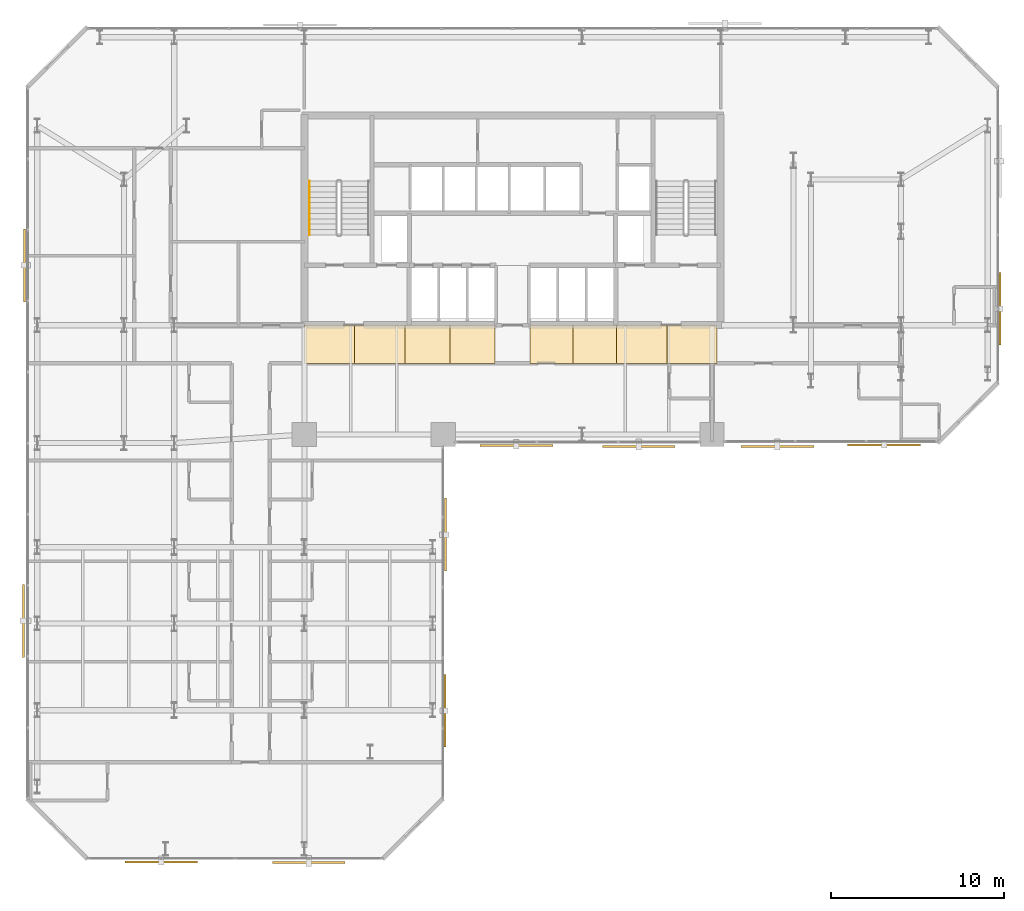
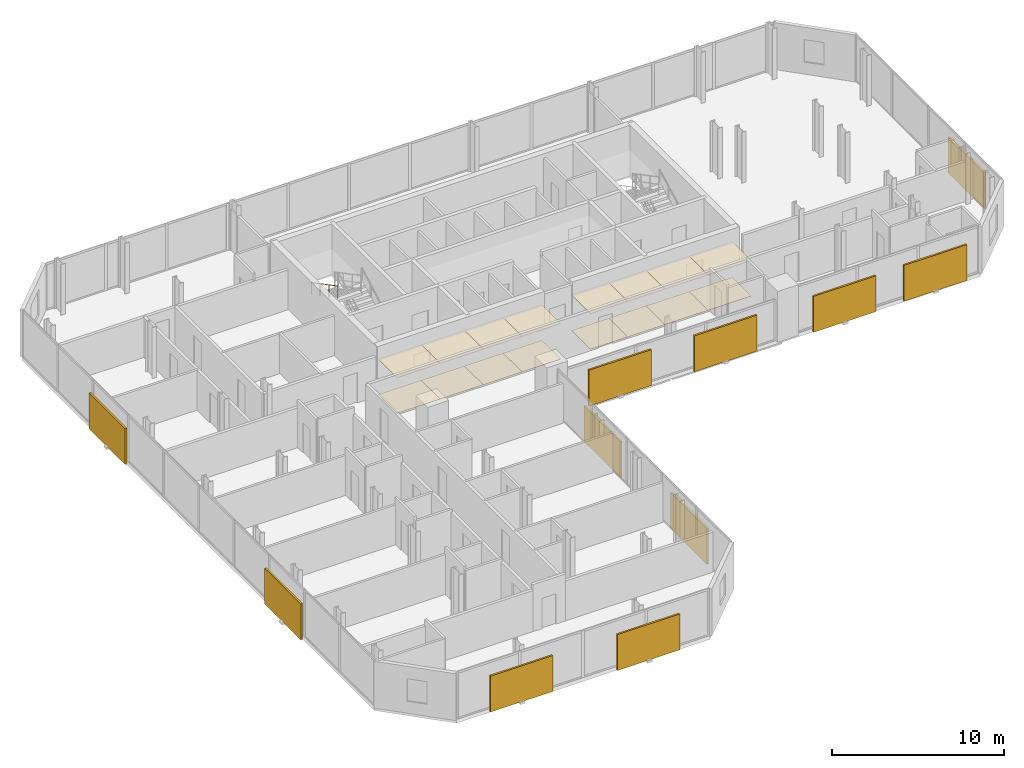
# One storey, part 31 of 32: 16 coverings, 11 shading devices, 1 railing.
"""IFC4 building model written with IfcOpenShell, lengths in metres."""

import ifcopenshell
import ifcopenshell.guid

model = None  # the IFC model being written
_history = None  # IfcOwnerHistory: only IFC2X3 demands one
_inside = {}  # id of a spatial element -> (the spatial element, [elements in it])
_under = {}  # id of a project, library or spatial element -> (it, [spatial elements below it])
_declared = {}  # id of a project -> (the project, [libraries it declares])
_typed = {}  # id of a type object -> (the type object, [elements of that type])
_made_of = {}  # id of a material, layer set ... -> (it, [elements and type objects made of it])


def new_model(schema):
    """Start an empty IFC model of exactly this schema.

    Asked for "IFC4X3", IfcOpenShell would pick the latest addendum, in which some entities
    have other attributes; the version numbers below select the first issue.
    IFC2X3 requires an IfcOwnerHistory on every rooted entity: one is made here for all.
    """
    global model, _history
    if schema == "IFC4X3":
        model = ifcopenshell.file(schema_version=(4, 3, 0, 0))
    else:
        model = ifcopenshell.file(schema=schema)
    _inside.clear()
    _under.clear()
    _declared.clear()
    _typed.clear()
    _made_of.clear()
    _history = None
    if model.schema == "IFC2X3":
        org = make("IfcOrganization", Name="unknown")
        user = make(
            "IfcPersonAndOrganization",
            ThePerson=make("IfcPerson", FamilyName="unknown"),
            TheOrganization=org,
        )
        app = make(
            "IfcApplication",
            ApplicationDeveloper=org,
            Version="unknown",
            ApplicationFullName="unknown",
            ApplicationIdentifier="unknown",
        )
        _history = make(
            "IfcOwnerHistory",
            OwningUser=user,
            OwningApplication=app,
            ChangeAction="ADDED",
            CreationDate=0,
        )
    return model


def make(cls, **values):
    """One entity of the class cls with the attributes given. An attribute that is None is left unset."""
    return model.create_entity(
        cls, **{name: value for name, value in values.items() if value is not None}
    )


def rooted(cls, **values):
    """An entity with a GlobalId (a new one), such as an element, a storey or a relation."""
    return make(cls, GlobalId=ifcopenshell.guid.new(), OwnerHistory=_history, **values)


def si_unit(unit_type, name, prefix=None):
    """IfcSIUnit, for example si_unit("LENGTHUNIT", "METRE", prefix="MILLI")."""
    return make("IfcSIUnit", UnitType=unit_type, Prefix=prefix, Name=name)


def assignment(units):
    """IfcUnitAssignment: the units of a project."""
    return None if units is None else make("IfcUnitAssignment", Units=units)


def point(xyz):
    """IfcCartesianPoint."""
    return None if xyz is None else make("IfcCartesianPoint", Coordinates=xyz)


def direction(xyz):
    """IfcDirection."""
    return None if xyz is None else make("IfcDirection", DirectionRatios=xyz)


def frame(location, z_axis=None, x_axis=None):
    """IfcAxis2Placement3D, a coordinate frame: its origin and axes. An axis left out is left unset."""
    return make(
        "IfcAxis2Placement3D",
        Location=point(location),
        Axis=direction(z_axis),
        RefDirection=direction(x_axis),
    )


def frame_2d(location, x_axis=None):
    """IfcAxis2Placement2D, a coordinate frame in the plane: its origin and x axis."""
    return make(
        "IfcAxis2Placement2D", Location=point(location), RefDirection=direction(x_axis)
    )


def origin():
    """The frame at (0, 0, 0) with its axes left unset."""
    return frame((0.0, 0.0, 0.0))


def origin_2d():
    """The frame at (0, 0) in the plane with its x axis left unset."""
    return frame_2d((0.0, 0.0))


def place(relative_to, where):
    """IfcLocalPlacement: puts the frame where relative to a parent placement (None: the world)."""
    return make(
        "IfcLocalPlacement", PlacementRelTo=relative_to, RelativePlacement=where
    )


def context(
    kind, dimensions, precision=None, world=None, true_north=None, identifier=None
):
    """IfcGeometricRepresentationContext, for example the 3D "Model" context."""
    return make(
        "IfcGeometricRepresentationContext",
        ContextIdentifier=identifier,
        ContextType=kind,
        CoordinateSpaceDimension=dimensions,
        Precision=precision,
        WorldCoordinateSystem=world,
        TrueNorth=true_north,
    )


def subcontext(parent, identifier, kind, view, scale=None):
    """IfcGeometricRepresentationSubContext, for example "Body" below "Model"."""
    return make(
        "IfcGeometricRepresentationSubContext",
        ContextIdentifier=identifier,
        ContextType=kind,
        ParentContext=parent,
        TargetScale=scale,
        TargetView=view,
    )


def project(units=None, contexts=None):
    """IfcProject with its units and contexts."""
    return rooted(
        "IfcProject",
        Name="project",
        RepresentationContexts=contexts,
        UnitsInContext=assignment(units),
    )


def spatial(cls, under=None, at=None, **own):
    """A site, building, storey or space (cls), placed at a placement, below another one or the project."""
    s = rooted(cls, ObjectPlacement=at, **own)
    if under is not None:
        _under.setdefault(under.id(), (under, []))[1].append(s)
    return s


def polyline(points):
    """IfcPolyline through the points."""
    return make("IfcPolyline", Points=[point(p) for p in points])


def profile(cls, at=None, kind="AREA", **sizes):
    """A parametric profile (cls). Its sizes go by their IFC names, for example OverallWidth=200.0."""
    return make(cls, ProfileType=kind, Position=at, **sizes)


def rectangle(**sizes):
    """IfcRectangleProfileDef."""
    return profile("IfcRectangleProfileDef", **sizes)


def circle(**sizes):
    """IfcCircleProfileDef."""
    return profile("IfcCircleProfileDef", **sizes)


def outline(outer, holes=None, kind="AREA"):
    """IfcArbitraryClosedProfileDef: a profile drawn as a closed curve; with holes, ...WithVoids."""
    if holes is None:
        return make("IfcArbitraryClosedProfileDef", ProfileType=kind, OuterCurve=outer)
    return make(
        "IfcArbitraryProfileDefWithVoids",
        ProfileType=kind,
        OuterCurve=outer,
        InnerCurves=holes,
    )


def extrude(swept, where, along, depth):
    """IfcExtrudedAreaSolid: the profile swept, set in the frame where, extruded along a direction by depth."""
    return make(
        "IfcExtrudedAreaSolid",
        SweptArea=swept,
        Position=where,
        ExtrudedDirection=direction(along),
        Depth=depth,
    )


def shape(context_of_items, identifier, shape_type, items):
    """IfcShapeRepresentation: the items that make up one representation, for example the "Body"."""
    return make(
        "IfcShapeRepresentation",
        ContextOfItems=context_of_items,
        RepresentationIdentifier=identifier,
        RepresentationType=shape_type,
        Items=items,
    )


def material(Name=None, Category=None):
    """IfcMaterial."""
    return make("IfcMaterial", Name=Name, Category=Category)


def layer(
    of_material, thickness, ventilated=None, Name=None, Category=None, Priority=None
):
    """IfcMaterialLayer: one layer of a wall or slab, of a material (None: an air gap)."""
    return make(
        "IfcMaterialLayer",
        Material=of_material,
        LayerThickness=thickness,
        IsVentilated=ventilated,
        Name=Name,
        Category=Category,
        Priority=Priority,
    )


def layer_set(layers, Name=None):
    """IfcMaterialLayerSet."""
    return make("IfcMaterialLayerSet", MaterialLayers=layers, LayerSetName=Name)


def made_of(thing, what):
    """Note that an element or type object is made of a material, layer set ...; save() writes the relation."""
    if what is not None:
        _made_of.setdefault(what.id(), (what, []))[1].append(thing)
    return thing


def type_object(cls, material=None, **own):
    """A type object (cls), such as IfcWallType, which elements share."""
    return made_of(rooted(cls, **own), material)


def element(
    cls,
    number,
    at=None,
    inside=None,
    cuts=None,
    type_object=None,
    material=None,
    context=None,
    identifier="Body",
    shape_type=None,
    held_by="IfcProductDefinitionShape",
    body=None,
    shapes=None,
    **own,
):
    """One element of the class cls, such as IfcWall. Its Tag is "e" and its number.

    at: its placement. inside: the storey or other place that contains it. cuts: it is an
    opening in that element (IfcRelVoidsElement). A single representation is given by context,
    identifier, shape_type and body (its items); several are given by shapes. held_by: the class
    of the entity that holds the representations. save() writes the other relations.
    """
    e = rooted(cls, Tag="e%d" % number, ObjectPlacement=at, **own)
    if body is not None:
        shapes = [shape(context, identifier, shape_type, body)]
    if shapes is not None:
        e.Representation = make(held_by, Representations=shapes)
    if inside is not None:
        _inside.setdefault(inside.id(), (inside, []))[1].append(e)
    if cuts is not None:
        rooted(
            "IfcRelVoidsElement", RelatingBuildingElement=cuts, RelatedOpeningElement=e
        )
    if type_object is not None:
        _typed.setdefault(type_object.id(), (type_object, []))[1].append(e)
    return made_of(e, material)


def aggregate(whole, parts):
    """IfcRelAggregates: a whole, such as a stair, and the parts it consists of."""
    return rooted("IfcRelAggregates", RelatingObject=whole, RelatedObjects=parts)


def save(model, path):
    """Write the relations noted so far, then the file.

    IfcRelAggregates (storeys below a building ...), IfcRelContainedInSpatialStructure (elements
    in a storey), IfcRelDefinesByType, IfcRelAssociatesMaterial and IfcRelDeclares: one each for
    every whole, place, type object, material and project.
    """
    for whole, parts in _under.values():
        aggregate(whole, parts)
    for where, things in _inside.values():
        rooted(
            "IfcRelContainedInSpatialStructure",
            RelatedElements=things,
            RelatingStructure=where,
        )
    for kind, things in _typed.values():
        rooted("IfcRelDefinesByType", RelatedObjects=things, RelatingType=kind)
    for what, things in _made_of.values():
        rooted("IfcRelAssociatesMaterial", RelatedObjects=things, RelatingMaterial=what)
    for by, libraries in _declared.values():
        rooted("IfcRelDeclares", RelatingContext=by, RelatedDefinitions=libraries)
    model.write(path)


model = new_model("IFC4")

# Units and contexts
model_context = context("Model", 3, precision=1e-05, world=origin(), true_north=direction((0.0, 1.0)))
body_context = subcontext(model_context, "Body", "Model", "MODEL_VIEW")
ifc_project = project(units=[si_unit("LENGTHUNIT", "METRE"), si_unit("AREAUNIT", "SQUARE_METRE"), si_unit("VOLUMEUNIT", "CUBIC_METRE"), si_unit("PLANEANGLEUNIT", "RADIAN"), si_unit("MASSUNIT", "GRAM", prefix="KILO")], contexts=[model_context])

# Site, building, storey
site_placement = place(None, origin())
site = spatial("IfcSite", under=ifc_project, at=site_placement, CompositionType="ELEMENT")
building_placement = place(site_placement, origin())
building = spatial("IfcBuilding", under=site, at=building_placement, Name="Catumbela Crestline Tower", CompositionType="ELEMENT")
storey_placement = place(building_placement, frame((0.0, 0.0, 69.0)))
storey = spatial("IfcBuildingStorey", under=building, at=storey_placement, Name="L17", CompositionType="ELEMENT", Elevation=69.0)

# Coverings
ifc_material_1 = material(Name="Mineral-fibre acoustic ceiling")
ifc_layer_1 = layer(ifc_material_1, 0.03, Name="Mineral-fibre acoustic ceiling")
ifc_layer_set_1 = layer_set([ifc_layer_1], Name="Mineral-fibre acoustic ceiling")
covering_type_1 = type_object("IfcCoveringType", Name="CC-AC", PredefinedType="CEILING", material=ifc_layer_set_1)
covering_1_placement = place(storey_placement, frame((0.0, 0.0, 2.52)))
element("IfcCovering", 1, at=covering_1_placement, inside=storey, type_object=covering_type_1, Name="L17 Corridor Acoustic Ceiling Bay 1", PredefinedType="CEILING", context=body_context, shape_type="SweptSolid", body=[
    extrude(outline(polyline([(16.0, 28.6), (18.9, 28.6), (18.9, 30.8), (16.0, 30.8), (16.0, 28.6)])), origin(), (0.0, 0.0, 1.0), 0.03),
])
covering_2_placement = place(storey_placement, frame((0.0, 0.0, 2.52)))
element("IfcCovering", 2, at=covering_2_placement, inside=storey, type_object=covering_type_1, Name="L17 Corridor Acoustic Ceiling Bay 2", PredefinedType="CEILING", context=body_context, shape_type="SweptSolid", body=[
    extrude(outline(polyline([(18.9, 28.6), (21.8, 28.6), (21.8, 30.8), (18.9, 30.8), (18.9, 28.6)])), origin(), (0.0, 0.0, 1.0), 0.03),
])
covering_3_placement = place(storey_placement, frame((0.0, 0.0, 2.52)))
element("IfcCovering", 3, at=covering_3_placement, inside=storey, type_object=covering_type_1, Name="L17 Corridor Acoustic Ceiling Bay 3", PredefinedType="CEILING", context=body_context, shape_type="SweptSolid", body=[
    extrude(outline(polyline([(21.8, 28.6), (24.4, 28.6), (24.4, 30.8), (21.8, 30.8), (21.8, 28.6)])), origin(), (0.0, 0.0, 1.0), 0.03),
])
covering_4_placement = place(storey_placement, frame((0.0, 0.0, 2.52)))
element("IfcCovering", 4, at=covering_4_placement, inside=storey, type_object=covering_type_1, Name="L17 Corridor Acoustic Ceiling Bay 4", PredefinedType="CEILING", context=body_context, shape_type="SweptSolid", body=[
    extrude(outline(polyline([(24.4, 28.6), (27.0, 28.6), (27.0, 30.8), (24.4, 30.8), (24.4, 28.6)])), origin(), (0.0, 0.0, 1.0), 0.03),
])
covering_5_placement = place(storey_placement, frame((0.0, 0.0, 2.52)))
element("IfcCovering", 5, at=covering_5_placement, inside=storey, type_object=covering_type_1, Name="L17 Corridor Acoustic Ceiling Bay 5", PredefinedType="CEILING", context=body_context, shape_type="SweptSolid", body=[
    extrude(outline(polyline([(29.0, 28.6), (31.5, 28.6), (31.5, 30.8), (29.0, 30.8), (29.0, 28.6)])), origin(), (0.0, 0.0, 1.0), 0.03),
])
covering_6_placement = place(storey_placement, frame((0.0, 0.0, 2.52)))
element("IfcCovering", 6, at=covering_6_placement, inside=storey, type_object=covering_type_1, Name="L17 Corridor Acoustic Ceiling Bay 6", PredefinedType="CEILING", context=body_context, shape_type="SweptSolid", body=[
    extrude(outline(polyline([(31.5, 28.6), (34.0, 28.6), (34.0, 30.8), (31.5, 30.8), (31.5, 28.6)])), origin(), (0.0, 0.0, 1.0), 0.03),
])
covering_7_placement = place(storey_placement, frame((0.0, 0.0, 2.52)))
element("IfcCovering", 7, at=covering_7_placement, inside=storey, type_object=covering_type_1, Name="L17 Corridor Acoustic Ceiling Bay 7", PredefinedType="CEILING", context=body_context, shape_type="SweptSolid", body=[
    extrude(outline(polyline([(34.0, 28.6), (36.9, 28.6), (36.9, 30.8), (34.0, 30.8), (34.0, 28.6)])), origin(), (0.0, 0.0, 1.0), 0.03),
])
covering_8_placement = place(storey_placement, frame((0.0, 0.0, 2.52)))
element("IfcCovering", 8, at=covering_8_placement, inside=storey, type_object=covering_type_1, Name="L17 Corridor Acoustic Ceiling Bay 8", PredefinedType="CEILING", context=body_context, shape_type="SweptSolid", body=[
    extrude(outline(polyline([(36.9, 28.6), (39.8, 28.6), (39.8, 30.8), (36.9, 30.8), (36.9, 28.6)])), origin(), (0.0, 0.0, 1.0), 0.03),
])
ifc_material_2 = material(Name="Angolan grey-ochre granite", Category="masonry")
ifc_layer_2 = layer(ifc_material_2, 0.025, Name="Angolan grey-ochre granite")
ifc_layer_set_2 = layer_set([ifc_layer_2], Name="Angolan grey-ochre granite")
covering_type_2 = type_object("IfcCoveringType", Name="CF-GR", PredefinedType="FLOORING", material=ifc_layer_set_2)
covering_9_placement = place(storey_placement, origin())
element("IfcCovering", 9, at=covering_9_placement, inside=storey, type_object=covering_type_2, Name="L17 Corridor Granite Flooring Bay 1", PredefinedType="FLOORING", context=body_context, shape_type="SweptSolid", body=[
    extrude(outline(polyline([(16.0, 28.6), (18.9, 28.6), (18.9, 30.8), (16.0, 30.8), (16.0, 28.6)])), origin(), (0.0, 0.0, 1.0), 0.025),
])
covering_10_placement = place(storey_placement, origin())
element("IfcCovering", 10, at=covering_10_placement, inside=storey, type_object=covering_type_2, Name="L17 Corridor Granite Flooring Bay 2", PredefinedType="FLOORING", context=body_context, shape_type="SweptSolid", body=[
    extrude(outline(polyline([(18.9, 28.6), (21.8, 28.6), (21.8, 30.8), (18.9, 30.8), (18.9, 28.6)])), origin(), (0.0, 0.0, 1.0), 0.025),
])
covering_11_placement = place(storey_placement, origin())
element("IfcCovering", 11, at=covering_11_placement, inside=storey, type_object=covering_type_2, Name="L17 Corridor Granite Flooring Bay 3", PredefinedType="FLOORING", context=body_context, shape_type="SweptSolid", body=[
    extrude(outline(polyline([(21.8, 28.6), (24.4, 28.6), (24.4, 30.8), (21.8, 30.8), (21.8, 28.6)])), origin(), (0.0, 0.0, 1.0), 0.025),
])
covering_12_placement = place(storey_placement, origin())
element("IfcCovering", 12, at=covering_12_placement, inside=storey, type_object=covering_type_2, Name="L17 Corridor Granite Flooring Bay 4", PredefinedType="FLOORING", context=body_context, shape_type="SweptSolid", body=[
    extrude(outline(polyline([(24.4, 28.6), (27.0, 28.6), (27.0, 30.8), (24.4, 30.8), (24.4, 28.6)])), origin(), (0.0, 0.0, 1.0), 0.025),
])
covering_13_placement = place(storey_placement, origin())
element("IfcCovering", 13, at=covering_13_placement, inside=storey, type_object=covering_type_2, Name="L17 Corridor Granite Flooring Bay 5", PredefinedType="FLOORING", context=body_context, shape_type="SweptSolid", body=[
    extrude(outline(polyline([(29.0, 28.6), (31.5, 28.6), (31.5, 30.8), (29.0, 30.8), (29.0, 28.6)])), origin(), (0.0, 0.0, 1.0), 0.025),
])
covering_14_placement = place(storey_placement, origin())
element("IfcCovering", 14, at=covering_14_placement, inside=storey, type_object=covering_type_2, Name="L17 Corridor Granite Flooring Bay 6", PredefinedType="FLOORING", context=body_context, shape_type="SweptSolid", body=[
    extrude(outline(polyline([(31.5, 28.6), (34.0, 28.6), (34.0, 30.8), (31.5, 30.8), (31.5, 28.6)])), origin(), (0.0, 0.0, 1.0), 0.025),
])
covering_15_placement = place(storey_placement, origin())
element("IfcCovering", 15, at=covering_15_placement, inside=storey, type_object=covering_type_2, Name="L17 Corridor Granite Flooring Bay 7", PredefinedType="FLOORING", context=body_context, shape_type="SweptSolid", body=[
    extrude(outline(polyline([(34.0, 28.6), (36.9, 28.6), (36.9, 30.8), (34.0, 30.8), (34.0, 28.6)])), origin(), (0.0, 0.0, 1.0), 0.025),
])
covering_16_placement = place(storey_placement, origin())
element("IfcCovering", 16, at=covering_16_placement, inside=storey, type_object=covering_type_2, Name="L17 Corridor Granite Flooring Bay 8", PredefinedType="FLOORING", context=body_context, shape_type="SweptSolid", body=[
    extrude(outline(polyline([(36.9, 28.6), (39.8, 28.6), (39.8, 30.8), (36.9, 30.8), (36.9, 28.6)])), origin(), (0.0, 0.0, 1.0), 0.025),
])

# Railing
ifc_material_3 = material(Name="Stainless steel EN 1.4401", Category="steel")
railing_type = type_object("IfcRailingType", Name="RH-0900", PredefinedType="HANDRAIL", material=ifc_material_3)
railing_placement = place(storey_placement, frame((16.3, 39.1, 1.9636)))
element("IfcRailing", 17, at=railing_placement, inside=storey, type_object=railing_type, Name="L17 ST-01 stair handrail 2", PredefinedType="HANDRAIL", context=body_context, shape_type="SweptSolid", body=[
    extrude(circle(Radius=0.024, at=origin_2d()), frame((0.0, 0.0, 0.876), z_axis=(0.0, -0.884350731049, 0.466823076222), x_axis=(1.0, 0.0, 0.0)), (0.0, 0.0, 1.0), 3.5054),
    extrude(circle(Radius=0.021, at=origin_2d()), origin(), (0.0, 0.0, 1.0), 0.852),
    extrude(circle(Radius=0.021, at=origin_2d()), frame((0.0, -1.0333, 0.5455)), (0.0, 0.0, 1.0), 0.852),
    extrude(circle(Radius=0.021, at=origin_2d()), frame((0.0, -2.0667, 1.0909)), (0.0, 0.0, 1.0), 0.852),
    extrude(circle(Radius=0.021, at=origin_2d()), frame((0.0, -3.1, 1.6364)), (0.0, 0.0, 1.0), 0.852),
])

# Shading devices
ifc_material_4 = material(Name="Extruded terracotta ceramic", Category="masonry")
shading_device_type_1 = type_object("IfcShadingDeviceType", Name="ST-180", PredefinedType="USERDEFINED", material=ifc_material_4)
for number, where, z_axis, x_axis, name in (
    (18, (24.099, 8.575, -0.1), (0.0, 0.0, 1.0), (0.0, 1.0, 0.0), "L17 Perforated Terracotta Solar Screen 171 (180 mm)"),
    (19, (49.425, 23.901, -0.1), (0.0, 0.0, 1.0), (1.0, 0.0, 0.0), "L17 Perforated Terracotta Solar Screen 176 (180 mm)"),
    (20, (56.099, 31.75, -0.1), (0.0, 0.0, 1.0), (0.0, 1.0, 0.0), "L17 Perforated Terracotta Solar Screen 177 (180 mm)"),
):
    element("IfcShadingDevice", number, at=place(storey_placement, frame(where, z_axis=z_axis, x_axis=x_axis)), inside=storey, type_object=shading_device_type_1, Name=name, ObjectType="SCREEN", PredefinedType="USERDEFINED", context=body_context, shape_type="SweptSolid", body=[
        extrude(rectangle(XDim=4.2, YDim=0.12, at=origin_2d()), origin(), (0.0, 0.0, 1.0), 2.55),
    ])
shading_device_type_2 = type_object("IfcShadingDeviceType", Name="ST-260", PredefinedType="USERDEFINED", material=ifc_material_4)
for number, where, z_axis, x_axis, name in (
    (21, (7.75, -0.143, -0.1), (0.0, 0.0, 1.0), (1.0, 0.0, 0.0), "L17 Perforated Terracotta Solar Screen 169 (260 mm)"),
    (22, (24.143, 18.725, -0.1), (0.0, 0.0, 1.0), (0.0, 1.0, 0.0), "L17 Perforated Terracotta Solar Screen 172 (260 mm)"),
    (23, (28.225, 23.857, -0.1), (0.0, 0.0, 1.0), (1.0, 0.0, 0.0), "L17 Perforated Terracotta Solar Screen 173 (260 mm)"),
    (24, (-0.143, 34.25, -0.1), (0.0, 0.0, 1.0), (0.0, -1.0, 0.0), "L17 Perforated Terracotta Solar Screen 181 (260 mm)"),
):
    element("IfcShadingDevice", number, at=place(storey_placement, frame(where, z_axis=z_axis, x_axis=x_axis)), inside=storey, type_object=shading_device_type_2, Name=name, ObjectType="SCREEN", PredefinedType="USERDEFINED", context=body_context, shape_type="SweptSolid", body=[
        extrude(rectangle(XDim=4.2, YDim=0.12, at=origin_2d()), origin(), (0.0, 0.0, 1.0), 2.55),
    ])
shading_device_type_3 = type_object("IfcShadingDeviceType", Name="ST-340", PredefinedType="USERDEFINED", material=ifc_material_4)
for number, where, z_axis, x_axis, name in (
    (25, (16.25, -0.187, -0.1), (0.0, 0.0, 1.0), (1.0, 0.0, 0.0), "L17 Perforated Terracotta Solar Screen 170 (340 mm)"),
    (26, (35.275, 23.813, -0.1), (0.0, 0.0, 1.0), (1.0, 0.0, 0.0), "L17 Perforated Terracotta Solar Screen 174 (340 mm)"),
    (27, (43.275, 23.813, -0.1), (0.0, 0.0, 1.0), (1.0, 0.0, 0.0), "L17 Perforated Terracotta Solar Screen 175 (340 mm)"),
    (28, (-0.187, 13.75, -0.1), (0.0, 0.0, 1.0), (0.0, -1.0, 0.0), "L17 Perforated Terracotta Solar Screen 182 (340 mm)"),
):
    element("IfcShadingDevice", number, at=place(storey_placement, frame(where, z_axis=z_axis, x_axis=x_axis)), inside=storey, type_object=shading_device_type_3, Name=name, ObjectType="SCREEN", PredefinedType="USERDEFINED", context=body_context, shape_type="SweptSolid", body=[
        extrude(rectangle(XDim=4.2, YDim=0.12, at=origin_2d()), origin(), (0.0, 0.0, 1.0), 2.55),
    ])

save(model, "model.ifc")
